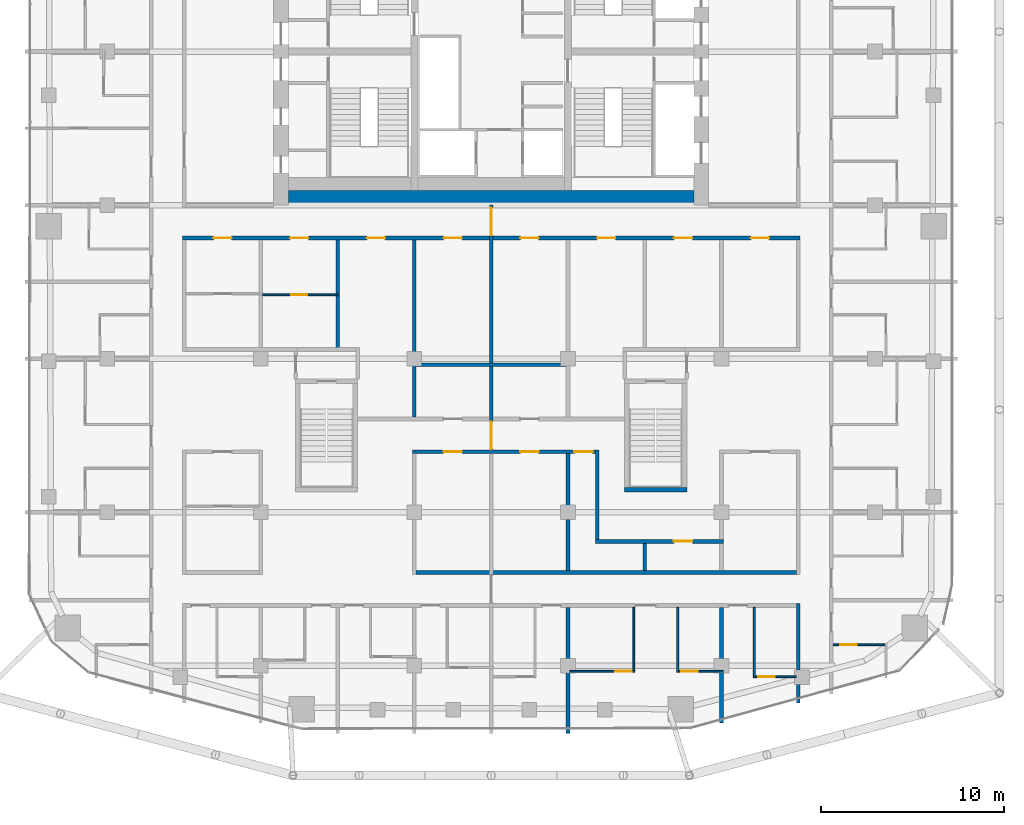
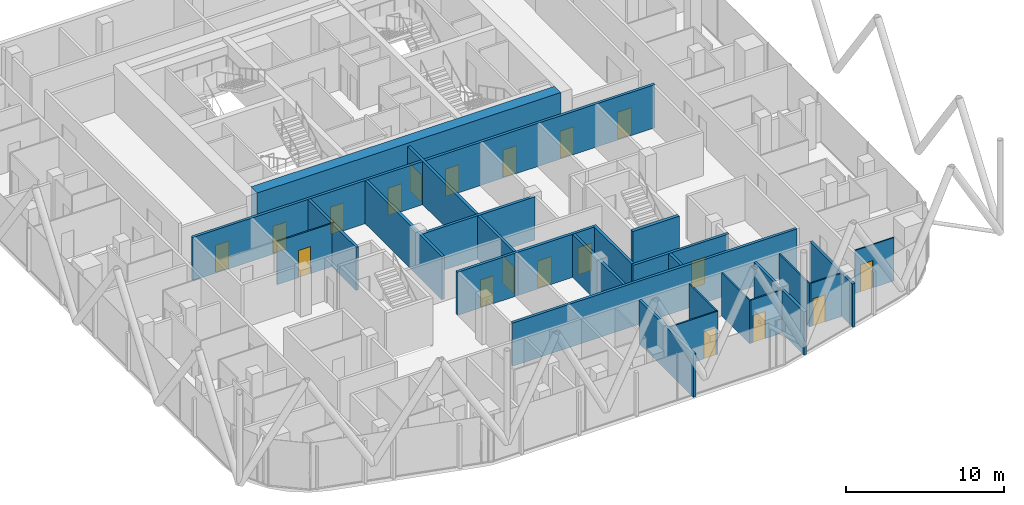
# One storey, part 22 of 28: 24 walls, 19 doors, 19 openings.
"""IFC4 building model written with IfcOpenShell, lengths in metres."""

from ifc_helpers import new_model, si_unit, direction, frame, frame_2d, origin, place, context, subcontext, project, spatial, rectangle, extrude, material, layer, layer_set, type_object, element, fill, save


model = new_model("IFC4")

# Units and contexts
model_context = context("Model", 3, precision=1e-05, world=origin(), true_north=direction((0.0, 1.0)))
body_context = subcontext(model_context, "Body", "Model", "MODEL_VIEW")
ifc_project = project(units=[si_unit("LENGTHUNIT", "METRE"), si_unit("AREAUNIT", "SQUARE_METRE"), si_unit("VOLUMEUNIT", "CUBIC_METRE"), si_unit("PLANEANGLEUNIT", "RADIAN"), si_unit("MASSUNIT", "GRAM", prefix="KILO")], contexts=[model_context])

# Site, building, storey
site_placement = place(None, origin())
site = spatial("IfcSite", under=ifc_project, at=site_placement, CompositionType="ELEMENT")
building_placement = place(site_placement, origin())
building = spatial("IfcBuilding", under=site, at=building_placement, Name="Marenta Gate Hotel Tower", CompositionType="ELEMENT")
storey_placement = place(building_placement, frame((0.0, 0.0, 212.89990234375)))
storey = spatial("IfcBuildingStorey", under=building, at=storey_placement, Name="L49", CompositionType="ELEMENT", Elevation=212.89990234375)

# Wall, openings, doors
ifc_material_1 = material(Name="Concrete blockwork", Category="masonry")
ifc_layer_1 = layer(ifc_material_1, 0.199951171875)
ifc_layer_set_1 = layer_set([ifc_layer_1], Name="Concrete blockwork")
wall_type_1 = type_object("IfcWallType", Name="Compartment wall 200 REI 180", PredefinedType="PARTITIONING", material=ifc_layer_set_1)
wall_1_placement = place(storey_placement, frame((0.0, -13.60009765625, 0.0), z_axis=(0.0, 0.0, 1.0), x_axis=(0.0, 1.0, 0.0)))
wall_1 = element("IfcWall", 1, at=wall_1_placement, inside=storey, type_object=wall_type_1, Name="L49-PTN-W082", PredefinedType="PARTITIONING", context=body_context, shape_type="SweptSolid", body=[
    extrude(rectangle(XDim=13.60009765625, YDim=0.199951171875, at=frame_2d((6.800048828125, 0.0))), origin(), (0.0, 0.0, 1.0), 3.340087890625),
])
opening_1_placement = place(wall_1_placement, frame((11.949951171875, 0.0, 0.0)))
opening_1 = element("IfcOpeningElement", 2, at=opening_1_placement, cuts=wall_1, Name="Opening G17-FD2", PredefinedType="OPENING", context=body_context, shape_type="SweptSolid", body=[
    extrude(rectangle(XDim=1.5, YDim=2.10009765625, at=frame_2d((0.75, 1.050048828125))), frame((0.0, 0.10009765625, 0.0), z_axis=(0.0, -1.0, 0.0), x_axis=(1.0, 0.0, 0.0)), (0.0, 0.0, 1.0), 0.199951171875),
])
opening_2_placement = place(wall_1_placement, frame((0.25, 0.0, 0.0)))
opening_2 = element("IfcOpeningElement", 3, at=opening_2_placement, cuts=wall_1, Name="Opening G17-FD3", PredefinedType="OPENING", context=body_context, shape_type="SweptSolid", body=[
    extrude(rectangle(XDim=1.5, YDim=2.10009765625, at=frame_2d((0.75, 1.050048828125))), frame((0.0, 0.10009765625, 0.0), z_axis=(0.0, -1.0, 0.0), x_axis=(1.0, 0.0, 0.0)), (0.0, 0.0, 1.0), 0.199951171875),
])
ifc_material_2 = material(Name="Hollow steel door set", Category="steel")
door_type_1 = type_object("IfcDoorType", Name="Compartment fire door 1500x2100 EI 60", OperationType="DOUBLE_DOOR_DOUBLE_SWING", PredefinedType="DOOR", material=ifc_material_2)
door_1_placement = place(opening_1_placement, origin())
door_1 = element("IfcDoor", 4, at=door_1_placement, inside=storey, type_object=door_type_1, Name="L49-PD-FD02", OperationType="DOUBLE_DOOR_DOUBLE_SWING", OverallHeight=2.10009765625, OverallWidth=1.5, PredefinedType="DOOR", context=body_context, shape_type="SweptSolid", body=[
    extrude(rectangle(XDim=1.5, YDim=2.10009765625, at=frame_2d((0.75, 1.050048828125))), frame((0.0, 0.02490234375, 0.0), z_axis=(0.0, -1.0, 0.0), x_axis=(1.0, 0.0, 0.0)), (0.0, 0.0, 1.0), 0.050048828125),
])
fill(opening_1, door_1)
door_2_placement = place(opening_2_placement, origin())
door_2 = element("IfcDoor", 5, at=door_2_placement, inside=storey, type_object=door_type_1, Name="L49-PD-FD03", OperationType="DOUBLE_DOOR_DOUBLE_SWING", OverallHeight=2.10009765625, OverallWidth=1.5, PredefinedType="DOOR", context=body_context, shape_type="SweptSolid", body=[
    extrude(rectangle(XDim=1.5, YDim=2.10009765625, at=frame_2d((0.75, 1.050048828125))), frame((0.0, 0.02490234375, 0.0), z_axis=(0.0, -1.0, 0.0), x_axis=(1.0, 0.0, 0.0)), (0.0, 0.0, 1.0), 0.050048828125),
])
fill(opening_2, door_2)

# Walls
ifc_material_3 = material(Name="Concrete C60", Category="concrete")
ifc_layer_2 = layer(ifc_material_3, 0.800048828125)
ifc_layer_set_2 = layer_set([ifc_layer_2], Name="Concrete C60")
wall_type_2 = type_object("IfcWallType", Name="Core wall 800 C60", PredefinedType="SHEAR", material=ifc_layer_set_2)
wall_2_placement = place(storey_placement, frame((-11.10009765625, 0.39990234375, 0.0), z_axis=(0.0, 0.0, 1.0), x_axis=(1.0, 0.0, 0.0)))
element("IfcWall", 6, at=wall_2_placement, inside=storey, type_object=wall_type_2, Name="L49-CORE-S", PredefinedType="SHEAR", context=body_context, shape_type="SweptSolid", body=[
    extrude(rectangle(XDim=22.2001953125, YDim=0.800048828125, at=frame_2d((11.10009765625, 0.0))), origin(), (0.0, 0.0, 1.0), 3.60009765625),
])
ifc_material_4 = material(Name="Concrete C40", Category="concrete")
ifc_layer_3 = layer(ifc_material_4, 0.25)
ifc_layer_set_3 = layer_set([ifc_layer_3], Name="Concrete C40")
wall_type_3 = type_object("IfcWallType", Name="Remote stair enclosure wall 250 REI 180", PredefinedType="SHEAR", material=ifc_layer_set_3)
wall_3_placement = place(storey_placement, frame((7.300048828125, -15.574951171875, 0.10009765625), z_axis=(0.0, 0.0, 1.0), x_axis=(1.0, 0.0, 0.0)))
element("IfcWall", 7, at=wall_3_placement, inside=storey, type_object=wall_type_3, Name="L49-RS-Z3-2-W1", PredefinedType="SHEAR", context=body_context, shape_type="SweptSolid", body=[
    extrude(rectangle(XDim=3.39990234375, YDim=0.25, at=frame_2d((1.699951171875, 0.0))), origin(), (0.0, 0.0, 1.0), 3.60009765625),
])

# Wall, openings, doors
ifc_material_5 = material(Name="Concrete blockwork", Category="masonry")
ifc_layer_4 = layer(ifc_material_5, 0.199951171875)
ifc_layer_set_4 = layer_set([ifc_layer_4], Name="Concrete blockwork")
wall_type_4 = type_object("IfcWallType", Name="Room corridor wall 200 EI 120", PredefinedType="PARTITIONING", material=ifc_layer_set_4)
wall_4_placement = place(storey_placement, frame((-16.89990234375, -1.800048828125, 0.0), z_axis=(0.0, 0.0, 1.0), x_axis=(1.0, 0.0, 0.0)))
wall_4 = element("IfcWall", 8, at=wall_4_placement, inside=storey, type_object=wall_type_4, Name="L49-PTN-W079", PredefinedType="PARTITIONING", context=body_context, shape_type="SweptSolid", body=[
    extrude(rectangle(XDim=33.7998046875, YDim=0.199951171875, at=frame_2d((16.89990234375, 0.0))), origin(), (0.0, 0.0, 1.0), 3.340087890625),
])
opening_3_placement = place(wall_4_placement, frame((1.699951171875, 0.0, 0.0)))
opening_3 = element("IfcOpeningElement", 9, at=opening_3_placement, cuts=wall_4, Name="Opening G17-01", PredefinedType="OPENING", context=body_context, shape_type="SweptSolid", body=[
    extrude(rectangle(XDim=1.0, YDim=2.10009765625, at=frame_2d((0.5, 1.050048828125))), frame((0.0, 0.10009765625, 0.0), z_axis=(0.0, -1.0, 0.0), x_axis=(1.0, 0.0, 0.0)), (0.0, 0.0, 1.0), 0.199951171875),
])
opening_4_placement = place(wall_4_placement, frame((5.89990234375, 0.0, 0.0)))
opening_4 = element("IfcOpeningElement", 10, at=opening_4_placement, cuts=wall_4, Name="Opening G17-03", PredefinedType="OPENING", context=body_context, shape_type="SweptSolid", body=[
    extrude(rectangle(XDim=1.0, YDim=2.10009765625, at=frame_2d((0.5, 1.050048828125))), frame((0.0, 0.10009765625, 0.0), z_axis=(0.0, -1.0, 0.0), x_axis=(1.0, 0.0, 0.0)), (0.0, 0.0, 1.0), 0.199951171875),
])
opening_5_placement = place(wall_4_placement, frame((10.10009765625, 0.0, 0.0)))
opening_5 = element("IfcOpeningElement", 11, at=opening_5_placement, cuts=wall_4, Name="Opening G17-05", PredefinedType="OPENING", context=body_context, shape_type="SweptSolid", body=[
    extrude(rectangle(XDim=1.0, YDim=2.10009765625, at=frame_2d((0.5, 1.050048828125))), frame((0.0, 0.10009765625, 0.0), z_axis=(0.0, -1.0, 0.0), x_axis=(1.0, 0.0, 0.0)), (0.0, 0.0, 1.0), 0.199951171875),
])
opening_6_placement = place(wall_4_placement, frame((22.699951171875, 0.0, 0.0)))
opening_6 = element("IfcOpeningElement", 12, at=opening_6_placement, cuts=wall_4, Name="Opening G17-06", PredefinedType="OPENING", context=body_context, shape_type="SweptSolid", body=[
    extrude(rectangle(XDim=1.0, YDim=2.10009765625, at=frame_2d((0.5, 1.050048828125))), frame((0.0, 0.10009765625, 0.0), z_axis=(0.0, -1.0, 0.0), x_axis=(1.0, 0.0, 0.0)), (0.0, 0.0, 1.0), 0.199951171875),
])
opening_7_placement = place(wall_4_placement, frame((26.89990234375, 0.0, 0.0)))
opening_7 = element("IfcOpeningElement", 13, at=opening_7_placement, cuts=wall_4, Name="Opening G17-07", PredefinedType="OPENING", context=body_context, shape_type="SweptSolid", body=[
    extrude(rectangle(XDim=1.0, YDim=2.10009765625, at=frame_2d((0.5, 1.050048828125))), frame((0.0, 0.10009765625, 0.0), z_axis=(0.0, -1.0, 0.0), x_axis=(1.0, 0.0, 0.0)), (0.0, 0.0, 1.0), 0.199951171875),
])
opening_8_placement = place(wall_4_placement, frame((31.10009765625, 0.0, 0.0)))
opening_8 = element("IfcOpeningElement", 14, at=opening_8_placement, cuts=wall_4, Name="Opening G17-08", PredefinedType="OPENING", context=body_context, shape_type="SweptSolid", body=[
    extrude(rectangle(XDim=1.0, YDim=2.10009765625, at=frame_2d((0.5, 1.050048828125))), frame((0.0, 0.10009765625, 0.0), z_axis=(0.0, -1.0, 0.0), x_axis=(1.0, 0.0, 0.0)), (0.0, 0.0, 1.0), 0.199951171875),
])
opening_9_placement = place(wall_4_placement, frame((14.300048828125, 0.0, 0.0)))
opening_9 = element("IfcOpeningElement", 15, at=opening_9_placement, cuts=wall_4, Name="Opening G17-78", PredefinedType="OPENING", context=body_context, shape_type="SweptSolid", body=[
    extrude(rectangle(XDim=1.0, YDim=2.10009765625, at=frame_2d((0.5, 1.050048828125))), frame((0.0, 0.10009765625, 0.0), z_axis=(0.0, -1.0, 0.0), x_axis=(1.0, 0.0, 0.0)), (0.0, 0.0, 1.0), 0.199951171875),
])
opening_10_placement = place(wall_4_placement, frame((18.5, 0.0, 0.0)))
opening_10 = element("IfcOpeningElement", 16, at=opening_10_placement, cuts=wall_4, Name="Opening G17-80", PredefinedType="OPENING", context=body_context, shape_type="SweptSolid", body=[
    extrude(rectangle(XDim=1.0, YDim=2.10009765625, at=frame_2d((0.5, 1.050048828125))), frame((0.0, 0.10009765625, 0.0), z_axis=(0.0, -1.0, 0.0), x_axis=(1.0, 0.0, 0.0)), (0.0, 0.0, 1.0), 0.199951171875),
])
ifc_material_6 = material(Name="Timber door leaf", Category="wood")
door_type_2 = type_object("IfcDoorType", Name="Room amenity door 1000x2100 EI 60", OperationType="NOTDEFINED", PredefinedType="DOOR", material=ifc_material_6)
door_3_placement = place(opening_5_placement, origin())
door_3 = element("IfcDoor", 17, at=door_3_placement, inside=storey, type_object=door_type_2, Name="L49-PD-D005", OperationType="SINGLE_SWING_RIGHT", OverallHeight=2.10009765625, OverallWidth=1.0, PredefinedType="DOOR", context=body_context, shape_type="SweptSolid", body=[
    extrude(rectangle(XDim=1.0, YDim=2.10009765625, at=frame_2d((0.5, 1.050048828125))), frame((0.0, 0.02490234375, 0.0), z_axis=(0.0, -1.0, 0.0), x_axis=(1.0, 0.0, 0.0)), (0.0, 0.0, 1.0), 0.050048828125),
])
fill(opening_5, door_3)
door_4_placement = place(opening_6_placement, origin())
door_4 = element("IfcDoor", 18, at=door_4_placement, inside=storey, type_object=door_type_2, Name="L49-PD-D006", OperationType="SINGLE_SWING_LEFT", OverallHeight=2.10009765625, OverallWidth=1.0, PredefinedType="DOOR", context=body_context, shape_type="SweptSolid", body=[
    extrude(rectangle(XDim=1.0, YDim=2.10009765625, at=frame_2d((0.5, 1.050048828125))), frame((0.0, 0.02490234375, 0.0), z_axis=(0.0, -1.0, 0.0), x_axis=(1.0, 0.0, 0.0)), (0.0, 0.0, 1.0), 0.050048828125),
])
fill(opening_6, door_4)
door_5_placement = place(opening_7_placement, origin())
door_5 = element("IfcDoor", 19, at=door_5_placement, inside=storey, type_object=door_type_2, Name="L49-PD-D007", OperationType="SINGLE_SWING_RIGHT", OverallHeight=2.10009765625, OverallWidth=1.0, PredefinedType="DOOR", context=body_context, shape_type="SweptSolid", body=[
    extrude(rectangle(XDim=1.0, YDim=2.10009765625, at=frame_2d((0.5, 1.050048828125))), frame((0.0, 0.02490234375, 0.0), z_axis=(0.0, -1.0, 0.0), x_axis=(1.0, 0.0, 0.0)), (0.0, 0.0, 1.0), 0.050048828125),
])
fill(opening_7, door_5)
door_6_placement = place(opening_8_placement, origin())
door_6 = element("IfcDoor", 20, at=door_6_placement, inside=storey, type_object=door_type_2, Name="L49-PD-D008", OperationType="SINGLE_SWING_LEFT", OverallHeight=2.10009765625, OverallWidth=1.0, PredefinedType="DOOR", context=body_context, shape_type="SweptSolid", body=[
    extrude(rectangle(XDim=1.0, YDim=2.10009765625, at=frame_2d((0.5, 1.050048828125))), frame((0.0, 0.02490234375, 0.0), z_axis=(0.0, -1.0, 0.0), x_axis=(1.0, 0.0, 0.0)), (0.0, 0.0, 1.0), 0.050048828125),
])
fill(opening_8, door_6)
door_7_placement = place(opening_9_placement, origin())
door_7 = element("IfcDoor", 21, at=door_7_placement, inside=storey, type_object=door_type_2, Name="L49-PD-D078", OperationType="SINGLE_SWING_LEFT", OverallHeight=2.10009765625, OverallWidth=1.0, PredefinedType="DOOR", context=body_context, shape_type="SweptSolid", body=[
    extrude(rectangle(XDim=1.0, YDim=2.10009765625, at=frame_2d((0.5, 1.050048828125))), frame((0.0, 0.02490234375, 0.0), z_axis=(0.0, -1.0, 0.0), x_axis=(1.0, 0.0, 0.0)), (0.0, 0.0, 1.0), 0.050048828125),
])
fill(opening_9, door_7)
door_8_placement = place(opening_10_placement, origin())
door_8 = element("IfcDoor", 22, at=door_8_placement, inside=storey, type_object=door_type_2, Name="L49-PD-D080", OperationType="SINGLE_SWING_LEFT", OverallHeight=2.10009765625, OverallWidth=1.0, PredefinedType="DOOR", context=body_context, shape_type="SweptSolid", body=[
    extrude(rectangle(XDim=1.0, YDim=2.10009765625, at=frame_2d((0.5, 1.050048828125))), frame((0.0, 0.02490234375, 0.0), z_axis=(0.0, -1.0, 0.0), x_axis=(1.0, 0.0, 0.0)), (0.0, 0.0, 1.0), 0.050048828125),
])
fill(opening_10, door_8)
ifc_material_7 = material(Name="Hollow steel door set", Category="steel")
door_type_3 = type_object("IfcDoorType", Name="Room service door 1000x2100 EI 60", OperationType="NOTDEFINED", PredefinedType="DOOR", material=ifc_material_7)
door_9_placement = place(opening_3_placement, origin())
door_9 = element("IfcDoor", 23, at=door_9_placement, inside=storey, type_object=door_type_3, Name="L49-PD-D001", OperationType="SINGLE_SWING_LEFT", OverallHeight=2.10009765625, OverallWidth=1.0, PredefinedType="DOOR", context=body_context, shape_type="SweptSolid", body=[
    extrude(rectangle(XDim=1.0, YDim=2.10009765625, at=frame_2d((0.5, 1.050048828125))), frame((0.0, 0.02490234375, 0.0), z_axis=(0.0, -1.0, 0.0), x_axis=(1.0, 0.0, 0.0)), (0.0, 0.0, 1.0), 0.050048828125),
])
fill(opening_3, door_9)
door_10_placement = place(opening_4_placement, origin())
door_10 = element("IfcDoor", 24, at=door_10_placement, inside=storey, type_object=door_type_3, Name="L49-PD-D003", OperationType="SINGLE_SWING_LEFT", OverallHeight=2.10009765625, OverallWidth=1.0, PredefinedType="DOOR", context=body_context, shape_type="SweptSolid", body=[
    extrude(rectangle(XDim=1.0, YDim=2.10009765625, at=frame_2d((0.5, 1.050048828125))), frame((0.0, 0.02490234375, 0.0), z_axis=(0.0, -1.0, 0.0), x_axis=(1.0, 0.0, 0.0)), (0.0, 0.0, 1.0), 0.050048828125),
])
fill(opening_4, door_10)

# Wall
ifc_material_8 = material(Name="Gypsum board on steel stud", Category="steel")
ifc_layer_5 = layer(ifc_material_8, 0.199951171875)
ifc_layer_set_5 = layer_set([ifc_layer_5], Name="Gypsum board on steel stud")
wall_type_5 = type_object("IfcWallType", Name="Room corridor wall 200 EI 60", PredefinedType="PARTITIONING", material=ifc_layer_set_5)
wall_5_placement = place(storey_placement, frame((-4.10009765625, -20.10009765625, 0.0), z_axis=(0.0, 0.0, 1.0), x_axis=(1.0, 0.0, 0.0)))
element("IfcWall", 25, at=wall_5_placement, inside=storey, type_object=wall_type_5, Name="L49-PTN-W026", PredefinedType="PARTITIONING", context=body_context, shape_type="SweptSolid", body=[
    extrude(rectangle(XDim=20.800048828125, YDim=0.199951171875, at=frame_2d((10.39990234375, 0.0))), origin(), (0.0, 0.0, 1.0), 3.340087890625),
])

# Wall, opening, door
wall_6_placement = place(storey_placement, frame((5.699951171875, -18.39990234375, 0.0), z_axis=(0.0, 0.0, 1.0), x_axis=(1.0, 0.0, 0.0)))
wall_6 = element("IfcWall", 26, at=wall_6_placement, inside=storey, type_object=wall_type_5, Name="L49-PTN-W030", PredefinedType="PARTITIONING", context=body_context, shape_type="SweptSolid", body=[
    extrude(rectangle(XDim=7.0, YDim=0.199951171875, at=frame_2d((3.5, 0.0))), origin(), (0.0, 0.0, 1.0), 3.340087890625),
])
opening_11_placement = place(wall_6_placement, frame((4.300048828125, 0.0, 0.0)))
opening_11 = element("IfcOpeningElement", 27, at=opening_11_placement, cuts=wall_6, Name="Opening G17-14", PredefinedType="OPENING", context=body_context, shape_type="SweptSolid", body=[
    extrude(rectangle(XDim=1.0, YDim=2.10009765625, at=frame_2d((0.5, 1.050048828125))), frame((0.0, 0.10009765625, 0.0), z_axis=(0.0, -1.0, 0.0), x_axis=(1.0, 0.0, 0.0)), (0.0, 0.0, 1.0), 0.199951171875),
])
ifc_material_9 = material(Name="Timber door leaf", Category="wood")
door_type_4 = type_object("IfcDoorType", Name="Room amenity door 1000x2100 EI 30", OperationType="NOTDEFINED", PredefinedType="DOOR", material=ifc_material_9)
door_11_placement = place(opening_11_placement, origin())
door_11 = element("IfcDoor", 28, at=door_11_placement, inside=storey, type_object=door_type_4, Name="L49-PD-D014", OperationType="SINGLE_SWING_LEFT", OverallHeight=2.10009765625, OverallWidth=1.0, PredefinedType="DOOR", context=body_context, shape_type="SweptSolid", body=[
    extrude(rectangle(XDim=1.0, YDim=2.10009765625, at=frame_2d((0.5, 1.050048828125))), frame((0.0, 0.02490234375, 0.0), z_axis=(0.0, -1.0, 0.0), x_axis=(1.0, 0.0, 0.0)), (0.0, 0.0, 1.0), 0.050048828125),
])
fill(opening_11, door_11)

# Wall
wall_7_placement = place(storey_placement, frame((16.800048828125, -27.22900390625, 0.0), z_axis=(0.0, 0.0, 1.0), x_axis=(0.0, 1.0, 0.0)))
element("IfcWall", 29, at=wall_7_placement, inside=storey, type_object=wall_type_5, Name="L49-PTN-W031", PredefinedType="PARTITIONING", context=body_context, shape_type="SweptSolid", body=[
    extrude(rectangle(XDim=5.428955078125, YDim=0.199951171875, at=frame_2d((2.71435546875, 0.0))), origin(), (0.0, 0.0, 1.0), 3.340087890625),
])

# Wall, openings, doors
wall_8_placement = place(storey_placement, frame((-4.300048828125, -13.5, 0.0), z_axis=(0.0, 0.0, 1.0), x_axis=(1.0, 0.0, 0.0)))
wall_8 = element("IfcWall", 30, at=wall_8_placement, inside=storey, type_object=wall_type_5, Name="L49-PTN-W042", PredefinedType="PARTITIONING", context=body_context, shape_type="SweptSolid", body=[
    extrude(rectangle(XDim=10.0, YDim=0.199951171875, at=frame_2d((5.0, 0.0))), origin(), (0.0, 0.0, 1.0), 3.340087890625),
])
opening_12_placement = place(wall_8_placement, frame((1.699951171875, 0.0, 0.0)))
opening_12 = element("IfcOpeningElement", 31, at=opening_12_placement, cuts=wall_8, Name="Opening G17-11", PredefinedType="OPENING", context=body_context, shape_type="SweptSolid", body=[
    extrude(rectangle(XDim=1.0, YDim=2.10009765625, at=frame_2d((0.5, 1.050048828125))), frame((0.0, 0.10009765625, 0.0), z_axis=(0.0, -1.0, 0.0), x_axis=(1.0, 0.0, 0.0)), (0.0, 0.0, 1.0), 0.199951171875),
])
opening_13_placement = place(wall_8_placement, frame((5.89990234375, 0.0, 0.0)))
opening_13 = element("IfcOpeningElement", 32, at=opening_13_placement, cuts=wall_8, Name="Opening G17-12", PredefinedType="OPENING", context=body_context, shape_type="SweptSolid", body=[
    extrude(rectangle(XDim=1.0, YDim=2.10009765625, at=frame_2d((0.5, 1.050048828125))), frame((0.0, 0.10009765625, 0.0), z_axis=(0.0, -1.0, 0.0), x_axis=(1.0, 0.0, 0.0)), (0.0, 0.0, 1.0), 0.199951171875),
])
opening_14_placement = place(wall_8_placement, frame((8.85009765625, 0.0, 0.0)))
opening_14 = element("IfcOpeningElement", 33, at=opening_14_placement, cuts=wall_8, Name="Opening G17-13", PredefinedType="OPENING", context=body_context, shape_type="SweptSolid", body=[
    extrude(rectangle(XDim=1.0, YDim=2.10009765625, at=frame_2d((0.5, 1.050048828125))), frame((0.0, 0.10009765625, 0.0), z_axis=(0.0, -1.0, 0.0), x_axis=(1.0, 0.0, 0.0)), (0.0, 0.0, 1.0), 0.199951171875),
])
door_12_placement = place(opening_12_placement, origin())
door_12 = element("IfcDoor", 34, at=door_12_placement, inside=storey, type_object=door_type_4, Name="L49-PD-D011", OperationType="SINGLE_SWING_LEFT", OverallHeight=2.10009765625, OverallWidth=1.0, PredefinedType="DOOR", context=body_context, shape_type="SweptSolid", body=[
    extrude(rectangle(XDim=1.0, YDim=2.10009765625, at=frame_2d((0.5, 1.050048828125))), frame((0.0, 0.02490234375, 0.0), z_axis=(0.0, -1.0, 0.0), x_axis=(1.0, 0.0, 0.0)), (0.0, 0.0, 1.0), 0.050048828125),
])
fill(opening_12, door_12)
door_13_placement = place(opening_13_placement, origin())
door_13 = element("IfcDoor", 35, at=door_13_placement, inside=storey, type_object=door_type_4, Name="L49-PD-D012", OperationType="SINGLE_SWING_RIGHT", OverallHeight=2.10009765625, OverallWidth=1.0, PredefinedType="DOOR", context=body_context, shape_type="SweptSolid", body=[
    extrude(rectangle(XDim=1.0, YDim=2.10009765625, at=frame_2d((0.5, 1.050048828125))), frame((0.0, 0.02490234375, 0.0), z_axis=(0.0, -1.0, 0.0), x_axis=(1.0, 0.0, 0.0)), (0.0, 0.0, 1.0), 0.050048828125),
])
fill(opening_13, door_13)
door_14_placement = place(opening_14_placement, origin())
door_14 = element("IfcDoor", 36, at=door_14_placement, inside=storey, type_object=door_type_4, Name="L49-PD-D013", OperationType="SINGLE_SWING_LEFT", OverallHeight=2.10009765625, OverallWidth=1.0, PredefinedType="DOOR", context=body_context, shape_type="SweptSolid", body=[
    extrude(rectangle(XDim=1.0, YDim=2.10009765625, at=frame_2d((0.5, 1.050048828125))), frame((0.0, 0.02490234375, 0.0), z_axis=(0.0, -1.0, 0.0), x_axis=(1.0, 0.0, 0.0)), (0.0, 0.0, 1.0), 0.050048828125),
])
fill(opening_14, door_14)

# Wall
wall_9_placement = place(storey_placement, frame((5.800048828125, -18.300048828125, 0.0), z_axis=(0.0, 0.0, 1.0), x_axis=(0.0, 1.0, 0.0)))
element("IfcWall", 37, at=wall_9_placement, inside=storey, type_object=wall_type_5, Name="L49-PTN-W067", PredefinedType="PARTITIONING", context=body_context, shape_type="SweptSolid", body=[
    extrude(rectangle(XDim=4.900146484375, YDim=0.199951171875, at=frame_2d((2.4501953125, 0.0))), origin(), (0.0, 0.0, 1.0), 3.340087890625),
])

# Wall, opening, door
ifc_material_10 = material(Name="Gypsum board on steel stud", Category="steel")
ifc_layer_6 = layer(ifc_material_10, 0.10009765625)
ifc_layer_set_6 = layer_set([ifc_layer_6], Name="Gypsum board on steel stud")
wall_type_6 = type_object("IfcWallType", Name="Room partition 100", PredefinedType="PARTITIONING", material=ifc_layer_set_6)
wall_10_placement = place(storey_placement, frame((14.449951171875, -25.800048828125, 0.0), z_axis=(0.0, 0.0, 1.0), x_axis=(1.0, 0.0, 0.0)))
wall_10 = element("IfcWall", 38, at=wall_10_placement, inside=storey, type_object=wall_type_6, Name="L49-PTN-W003", PredefinedType="PARTITIONING", context=body_context, shape_type="SweptSolid", body=[
    extrude(rectangle(XDim=2.25, YDim=0.10009765625, at=frame_2d((1.125, 0.0))), origin(), (0.0, 0.0, 1.0), 3.340087890625),
])
opening_15_placement = place(wall_10_placement, frame((0.14990234375, 0.0, 0.0)))
opening_15 = element("IfcOpeningElement", 39, at=opening_15_placement, cuts=wall_10, Name="Opening G17-55", PredefinedType="OPENING", context=body_context, shape_type="SweptSolid", body=[
    extrude(rectangle(XDim=0.89990234375, YDim=2.10009765625, at=frame_2d((0.449951171875, 1.050048828125))), frame((0.0, 0.050048828125, 0.0), z_axis=(0.0, -1.0, 0.0), x_axis=(1.0, 0.0, 0.0)), (0.0, 0.0, 1.0), 0.10009765625),
])
ifc_material_11 = material(Name="Timber door leaf", Category="wood")
door_type_5 = type_object("IfcDoorType", Name="Guest bathroom door 900x2100", OperationType="NOTDEFINED", PredefinedType="DOOR", material=ifc_material_11)
door_15_placement = place(opening_15_placement, origin())
door_15 = element("IfcDoor", 40, at=door_15_placement, inside=storey, type_object=door_type_5, Name="L49-PD-D055", OperationType="SINGLE_SWING_LEFT", OverallHeight=2.10009765625, OverallWidth=0.89990234375, PredefinedType="DOOR", context=body_context, shape_type="SweptSolid", body=[
    extrude(rectangle(XDim=0.89990234375, YDim=2.10009765625, at=frame_2d((0.449951171875, 1.050048828125))), frame((0.0, 0.02490234375, 0.0), z_axis=(0.0, -1.0, 0.0), x_axis=(1.0, 0.0, 0.0)), (0.0, 0.0, 1.0), 0.050048828125),
])
fill(opening_15, door_15)

wall_11_placement = place(storey_placement, frame((4.300048828125, -25.5, 0.0), z_axis=(0.0, 0.0, 1.0), x_axis=(1.0, 0.0, 0.0)))
wall_11 = element("IfcWall", 41, at=wall_11_placement, inside=storey, type_object=wall_type_6, Name="L49-PTN-W004", PredefinedType="PARTITIONING", context=body_context, shape_type="SweptSolid", body=[
    extrude(rectangle(XDim=3.550048828125, YDim=0.10009765625, at=frame_2d((1.77490234375, 0.0))), origin(), (0.0, 0.0, 1.0), 3.340087890625),
])
opening_16_placement = place(wall_11_placement, frame((2.5, 0.0, 0.0)))
opening_16 = element("IfcOpeningElement", 42, at=opening_16_placement, cuts=wall_11, Name="Opening G17-52", PredefinedType="OPENING", context=body_context, shape_type="SweptSolid", body=[
    extrude(rectangle(XDim=0.89990234375, YDim=2.10009765625, at=frame_2d((0.449951171875, 1.050048828125))), frame((0.0, 0.050048828125, 0.0), z_axis=(0.0, -1.0, 0.0), x_axis=(1.0, 0.0, 0.0)), (0.0, 0.0, 1.0), 0.10009765625),
])
door_16_placement = place(opening_16_placement, origin())
door_16 = element("IfcDoor", 43, at=door_16_placement, inside=storey, type_object=door_type_5, Name="L49-PD-D052", OperationType="SINGLE_SWING_RIGHT", OverallHeight=2.10009765625, OverallWidth=0.89990234375, PredefinedType="DOOR", context=body_context, shape_type="SweptSolid", body=[
    extrude(rectangle(XDim=0.89990234375, YDim=2.10009765625, at=frame_2d((0.449951171875, 1.050048828125))), frame((0.0, 0.02490234375, 0.0), z_axis=(0.0, -1.0, 0.0), x_axis=(1.0, 0.0, 0.0)), (0.0, 0.0, 1.0), 0.050048828125),
])
fill(opening_16, door_16)

wall_12_placement = place(storey_placement, frame((10.25, -25.5, 0.0), z_axis=(0.0, 0.0, 1.0), x_axis=(1.0, 0.0, 0.0)))
wall_12 = element("IfcWall", 44, at=wall_12_placement, inside=storey, type_object=wall_type_6, Name="L49-PTN-W005", PredefinedType="PARTITIONING", context=body_context, shape_type="SweptSolid", body=[
    extrude(rectangle(XDim=2.449951171875, YDim=0.10009765625, at=frame_2d((1.22509765625, 0.0))), origin(), (0.0, 0.0, 1.0), 3.340087890625),
])
opening_17_placement = place(wall_12_placement, frame((0.14990234375, 0.0, 0.0)))
opening_17 = element("IfcOpeningElement", 45, at=opening_17_placement, cuts=wall_12, Name="Opening G17-53", PredefinedType="OPENING", context=body_context, shape_type="SweptSolid", body=[
    extrude(rectangle(XDim=0.89990234375, YDim=2.10009765625, at=frame_2d((0.449951171875, 1.050048828125))), frame((0.0, 0.050048828125, 0.0), z_axis=(0.0, -1.0, 0.0), x_axis=(1.0, 0.0, 0.0)), (0.0, 0.0, 1.0), 0.10009765625),
])
ifc_material_12 = material(Name="Timber door leaf", Category="wood")
door_type_6 = type_object("IfcDoorType", Name="Room inner door 900x2100", OperationType="NOTDEFINED", PredefinedType="DOOR", material=ifc_material_12)
door_17_placement = place(opening_17_placement, origin())
door_17 = element("IfcDoor", 46, at=door_17_placement, inside=storey, type_object=door_type_6, Name="L49-PD-D053", OperationType="SINGLE_SWING_LEFT", OverallHeight=2.10009765625, OverallWidth=0.89990234375, PredefinedType="DOOR", context=body_context, shape_type="SweptSolid", body=[
    extrude(rectangle(XDim=0.89990234375, YDim=2.10009765625, at=frame_2d((0.449951171875, 1.050048828125))), frame((0.0, 0.02490234375, 0.0), z_axis=(0.0, -1.0, 0.0), x_axis=(1.0, 0.0, 0.0)), (0.0, 0.0, 1.0), 0.050048828125),
])
fill(opening_17, door_17)

wall_13_placement = place(storey_placement, frame((18.699951171875, -24.051025390625, 0.0), z_axis=(0.0, 0.0, 1.0), x_axis=(1.0, 0.0, 0.0)))
wall_13 = element("IfcWall", 47, at=wall_13_placement, inside=storey, type_object=wall_type_6, Name="L49-PTN-W010", PredefinedType="PARTITIONING", context=body_context, shape_type="SweptSolid", body=[
    extrude(rectangle(XDim=2.85009765625, YDim=0.10009765625, at=frame_2d((1.425048828125, 0.0))), origin(), (0.0, 0.0, 1.0), 3.340087890625),
])
opening_18_placement = place(wall_13_placement, frame((0.39990234375, 0.0, 0.0)))
opening_18 = element("IfcOpeningElement", 48, at=opening_18_placement, cuts=wall_13, Name="Opening G17-17", PredefinedType="OPENING", context=body_context, shape_type="SweptSolid", body=[
    extrude(rectangle(XDim=0.89990234375, YDim=2.10009765625, at=frame_2d((0.449951171875, 1.050048828125))), frame((0.0, 0.050048828125, 0.0), z_axis=(0.0, -1.0, 0.0), x_axis=(1.0, 0.0, 0.0)), (0.0, 0.0, 1.0), 0.10009765625),
])
door_18_placement = place(opening_18_placement, origin())
door_18 = element("IfcDoor", 49, at=door_18_placement, inside=storey, type_object=door_type_5, Name="L49-PD-D017", OperationType="SINGLE_SWING_RIGHT", OverallHeight=2.10009765625, OverallWidth=0.89990234375, PredefinedType="DOOR", context=body_context, shape_type="SweptSolid", body=[
    extrude(rectangle(XDim=0.89990234375, YDim=2.10009765625, at=frame_2d((0.449951171875, 1.050048828125))), frame((0.0, 0.02490234375, 0.0), z_axis=(0.0, -1.0, 0.0), x_axis=(1.0, 0.0, 0.0)), (0.0, 0.0, 1.0), 0.050048828125),
])
fill(opening_18, door_18)

# Walls
wall_14_placement = place(storey_placement, frame((14.39990234375, -25.85009765625, 0.0), z_axis=(0.0, 0.0, 1.0), x_axis=(0.0, 1.0, 0.0)))
element("IfcWall", 50, at=wall_14_placement, inside=storey, type_object=wall_type_6, Name="L49-PTN-W038", PredefinedType="PARTITIONING", context=body_context, shape_type="SweptSolid", body=[
    extrude(rectangle(XDim=3.85009765625, YDim=0.10009765625, at=frame_2d((1.925048828125, 0.0))), origin(), (0.0, 0.0, 1.0), 3.340087890625),
])
wall_15_placement = place(storey_placement, frame((10.199951171875, -25.550048828125, 0.0), z_axis=(0.0, 0.0, 1.0), x_axis=(0.0, 1.0, 0.0)))
element("IfcWall", 51, at=wall_15_placement, inside=storey, type_object=wall_type_6, Name="L49-PTN-W053", PredefinedType="PARTITIONING", context=body_context, shape_type="SweptSolid", body=[
    extrude(rectangle(XDim=3.550048828125, YDim=0.10009765625, at=frame_2d((1.77490234375, 0.0))), origin(), (0.0, 0.0, 1.0), 3.340087890625),
])
wall_16_placement = place(storey_placement, frame((7.800048828125, -25.449951171875, 0.0), z_axis=(0.0, 0.0, 1.0), x_axis=(0.0, 1.0, 0.0)))
element("IfcWall", 52, at=wall_16_placement, inside=storey, type_object=wall_type_6, Name="L49-PTN-W063", PredefinedType="PARTITIONING", context=body_context, shape_type="SweptSolid", body=[
    extrude(rectangle(XDim=3.449951171875, YDim=0.10009765625, at=frame_2d((1.72509765625, 0.0))), origin(), (0.0, 0.0, 1.0), 3.340087890625),
])

# Wall, opening, door
wall_17_placement = place(storey_placement, frame((-12.5, -4.89990234375, 0.0), z_axis=(0.0, 0.0, 1.0), x_axis=(1.0, 0.0, 0.0)))
wall_17 = element("IfcWall", 53, at=wall_17_placement, inside=storey, type_object=wall_type_6, Name="L49-PTN-W068", PredefinedType="PARTITIONING", context=body_context, shape_type="SweptSolid", body=[
    extrude(rectangle(XDim=4.199951171875, YDim=0.10009765625, at=frame_2d((2.10009765625, 0.0))), origin(), (0.0, 0.0, 1.0), 3.340087890625),
])
opening_19_placement = place(wall_17_placement, frame((1.550048828125, 0.0, 0.0)))
opening_19 = element("IfcOpeningElement", 54, at=opening_19_placement, cuts=wall_17, Name="Opening G17-04", PredefinedType="OPENING", context=body_context, shape_type="SweptSolid", body=[
    extrude(rectangle(XDim=0.89990234375, YDim=2.10009765625, at=frame_2d((0.449951171875, 1.050048828125))), frame((0.0, 0.050048828125, 0.0), z_axis=(0.0, -1.0, 0.0), x_axis=(1.0, 0.0, 0.0)), (0.0, 0.0, 1.0), 0.10009765625),
])
door_19_placement = place(opening_19_placement, origin())
door_19 = element("IfcDoor", 55, at=door_19_placement, inside=storey, type_object=door_type_6, Name="L49-PD-D004", OperationType="SINGLE_SWING_RIGHT", OverallHeight=2.10009765625, OverallWidth=0.89990234375, PredefinedType="DOOR", context=body_context, shape_type="SweptSolid", body=[
    extrude(rectangle(XDim=0.89990234375, YDim=2.10009765625, at=frame_2d((0.449951171875, 1.050048828125))), frame((0.0, 0.02490234375, 0.0), z_axis=(0.0, -1.0, 0.0), x_axis=(1.0, 0.0, 0.0)), (0.0, 0.0, 1.0), 0.050048828125),
])
fill(opening_19, door_19)

# Walls
ifc_material_13 = material(Name="Concrete blockwork", Category="masonry")
ifc_layer_7 = layer(ifc_material_13, 0.199951171875)
ifc_layer_set_7 = layer_set([ifc_layer_7], Name="Concrete blockwork")
wall_type_7 = type_object("IfcWallType", Name="Room party wall 200 EI 120", PredefinedType="PARTITIONING", material=ifc_layer_set_7)
wall_18_placement = place(storey_placement, frame((-8.39990234375, -8.0, 0.0), z_axis=(0.0, 0.0, 1.0), x_axis=(0.0, 1.0, 0.0)))
element("IfcWall", 56, at=wall_18_placement, inside=storey, type_object=wall_type_7, Name="L49-PTN-W097", PredefinedType="PARTITIONING", context=body_context, shape_type="SweptSolid", body=[
    extrude(rectangle(XDim=6.10009765625, YDim=0.199951171875, at=frame_2d((3.050048828125, 0.0))), origin(), (0.0, 0.0, 1.0), 3.340087890625),
])
ifc_material_14 = material(Name="Gypsum board on steel stud", Category="steel")
ifc_layer_8 = layer(ifc_material_14, 0.199951171875)
ifc_layer_set_8 = layer_set([ifc_layer_8], Name="Gypsum board on steel stud")
wall_type_8 = type_object("IfcWallType", Name="Room party wall 200 EI 60", PredefinedType="PARTITIONING", material=ifc_layer_set_8)
wall_19_placement = place(storey_placement, frame((12.60009765625, -28.343017578125, 0.0), z_axis=(0.0, 0.0, 1.0), x_axis=(0.0, 1.0, 0.0)))
element("IfcWall", 57, at=wall_19_placement, inside=storey, type_object=wall_type_8, Name="L49-PTN-W044", PredefinedType="PARTITIONING", context=body_context, shape_type="SweptSolid", body=[
    extrude(rectangle(XDim=6.343017578125, YDim=0.199951171875, at=frame_2d((3.17138671875, 0.0))), origin(), (0.0, 0.0, 1.0), 3.340087890625),
])
wall_20_placement = place(storey_placement, frame((-4.10009765625, -8.72998046875, 0.0), z_axis=(0.0, 0.0, 1.0), x_axis=(1.0, 0.0, 0.0)))
element("IfcWall", 58, at=wall_20_placement, inside=storey, type_object=wall_type_8, Name="L49-PTN-W054", PredefinedType="PARTITIONING", context=body_context, shape_type="SweptSolid", body=[
    extrude(rectangle(XDim=8.2001953125, YDim=0.199951171875, at=frame_2d((4.10009765625, 0.0))), origin(), (0.0, 0.0, 1.0), 3.340087890625),
])
wall_21_placement = place(storey_placement, frame((8.39990234375, -20.0, 0.0), z_axis=(0.0, 0.0, 1.0), x_axis=(0.0, 1.0, 0.0)))
element("IfcWall", 59, at=wall_21_placement, inside=storey, type_object=wall_type_8, Name="L49-PTN-W055", PredefinedType="PARTITIONING", context=body_context, shape_type="SweptSolid", body=[
    extrude(rectangle(XDim=1.5, YDim=0.199951171875, at=frame_2d((0.75, 0.0))), origin(), (0.0, 0.0, 1.0), 3.340087890625),
])
wall_22_placement = place(storey_placement, frame((4.199951171875, -28.89990234375, 0.0), z_axis=(0.0, 0.0, 1.0), x_axis=(0.0, 1.0, 0.0)))
element("IfcWall", 60, at=wall_22_placement, inside=storey, type_object=wall_type_8, Name="L49-PTN-W070", PredefinedType="PARTITIONING", context=body_context, shape_type="SweptSolid", body=[
    extrude(rectangle(XDim=6.89990234375, YDim=0.199951171875, at=frame_2d((3.449951171875, 0.0))), origin(), (0.0, 0.0, 1.0), 3.340087890625),
])
wall_23_placement = place(storey_placement, frame((4.199951171875, -20.0, 0.0), z_axis=(0.0, 0.0, 1.0), x_axis=(0.0, 1.0, 0.0)))
element("IfcWall", 61, at=wall_23_placement, inside=storey, type_object=wall_type_8, Name="L49-PTN-W071", PredefinedType="PARTITIONING", context=body_context, shape_type="SweptSolid", body=[
    extrude(rectangle(XDim=6.39990234375, YDim=0.199951171875, at=frame_2d((3.199951171875, 0.0))), origin(), (0.0, 0.0, 1.0), 3.340087890625),
])
wall_24_placement = place(storey_placement, frame((-4.199951171875, -11.60009765625, 0.0), z_axis=(0.0, 0.0, 1.0), x_axis=(0.0, 1.0, 0.0)))
element("IfcWall", 62, at=wall_24_placement, inside=storey, type_object=wall_type_8, Name="L49-PTN-W088", PredefinedType="PARTITIONING", context=body_context, shape_type="SweptSolid", body=[
    extrude(rectangle(XDim=9.7001953125, YDim=0.199951171875, at=frame_2d((4.85009765625, 0.0))), origin(), (0.0, 0.0, 1.0), 3.340087890625),
])

save(model, "model.ifc")
